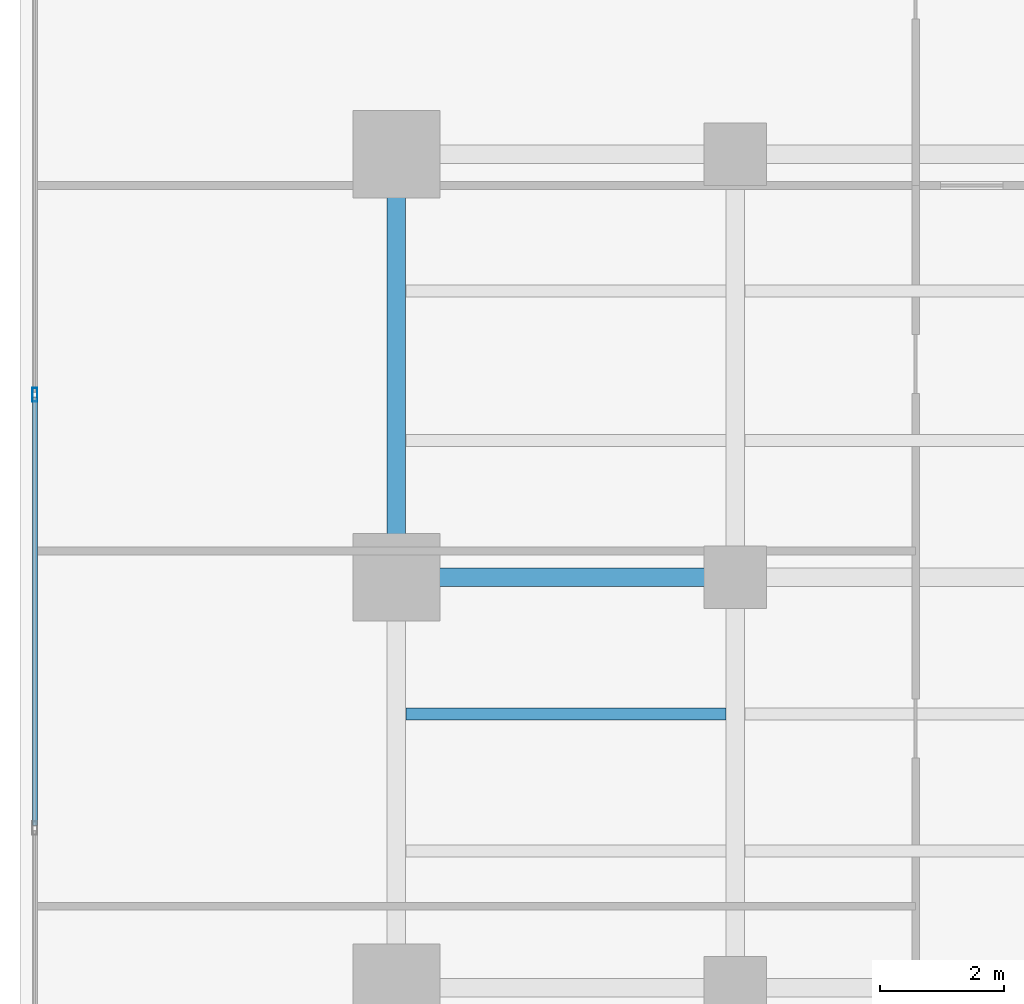
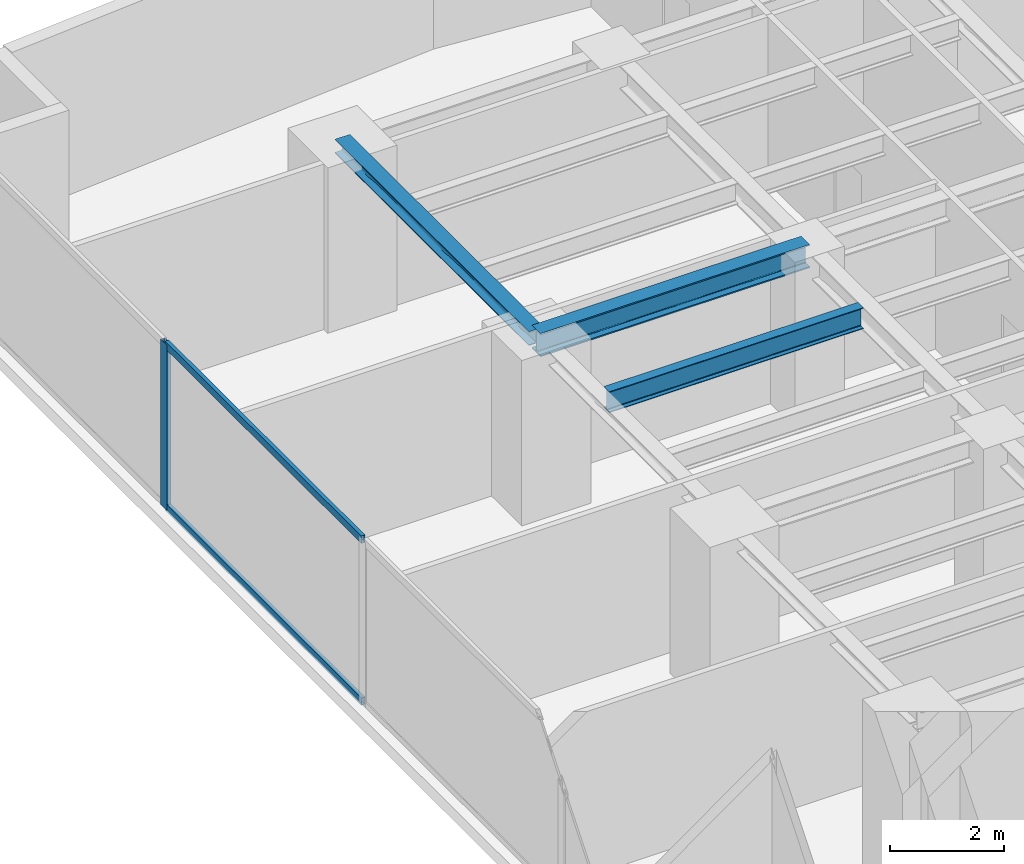
# One storey, part 16 of 26: 3 beams, 3 members, 1 element without a shape of its own.
"""IFC4 building model written with IfcOpenShell, lengths in metres."""

import ifcopenshell
import ifcopenshell.guid

model = None  # the IFC model being written
_history = None  # IfcOwnerHistory: only IFC2X3 demands one
_inside = {}  # id of a spatial element -> (the spatial element, [elements in it])
_under = {}  # id of a project, library or spatial element -> (it, [spatial elements below it])
_declared = {}  # id of a project -> (the project, [libraries it declares])
_typed = {}  # id of a type object -> (the type object, [elements of that type])
_made_of = {}  # id of a material, layer set ... -> (it, [elements and type objects made of it])


def new_model(schema):
    """Start an empty IFC model of exactly this schema.

    Asked for "IFC4X3", IfcOpenShell would pick the latest addendum, in which some entities
    have other attributes; the version numbers below select the first issue.
    IFC2X3 requires an IfcOwnerHistory on every rooted entity: one is made here for all.
    """
    global model, _history
    if schema == "IFC4X3":
        model = ifcopenshell.file(schema_version=(4, 3, 0, 0))
    else:
        model = ifcopenshell.file(schema=schema)
    _inside.clear()
    _under.clear()
    _declared.clear()
    _typed.clear()
    _made_of.clear()
    _history = None
    if model.schema == "IFC2X3":
        org = make("IfcOrganization", Name="unknown")
        user = make(
            "IfcPersonAndOrganization",
            ThePerson=make("IfcPerson", FamilyName="unknown"),
            TheOrganization=org,
        )
        app = make(
            "IfcApplication",
            ApplicationDeveloper=org,
            Version="unknown",
            ApplicationFullName="unknown",
            ApplicationIdentifier="unknown",
        )
        _history = make(
            "IfcOwnerHistory",
            OwningUser=user,
            OwningApplication=app,
            ChangeAction="ADDED",
            CreationDate=0,
        )
    return model


def make(cls, **values):
    """One entity of the class cls with the attributes given. An attribute that is None is left unset."""
    return model.create_entity(
        cls, **{name: value for name, value in values.items() if value is not None}
    )


def rooted(cls, **values):
    """An entity with a GlobalId (a new one), such as an element, a storey or a relation."""
    return make(cls, GlobalId=ifcopenshell.guid.new(), OwnerHistory=_history, **values)


def si_unit(unit_type, name, prefix=None):
    """IfcSIUnit, for example si_unit("LENGTHUNIT", "METRE", prefix="MILLI")."""
    return make("IfcSIUnit", UnitType=unit_type, Prefix=prefix, Name=name)


def assignment(units):
    """IfcUnitAssignment: the units of a project."""
    return None if units is None else make("IfcUnitAssignment", Units=units)


def point(xyz):
    """IfcCartesianPoint."""
    return None if xyz is None else make("IfcCartesianPoint", Coordinates=xyz)


def direction(xyz):
    """IfcDirection."""
    return None if xyz is None else make("IfcDirection", DirectionRatios=xyz)


def frame(location, z_axis=None, x_axis=None):
    """IfcAxis2Placement3D, a coordinate frame: its origin and axes. An axis left out is left unset."""
    return make(
        "IfcAxis2Placement3D",
        Location=point(location),
        Axis=direction(z_axis),
        RefDirection=direction(x_axis),
    )


def frame_2d(location, x_axis=None):
    """IfcAxis2Placement2D, a coordinate frame in the plane: its origin and x axis."""
    return make(
        "IfcAxis2Placement2D", Location=point(location), RefDirection=direction(x_axis)
    )


def origin():
    """The frame at (0, 0, 0) with its axes left unset."""
    return frame((0.0, 0.0, 0.0))


def origin_with_axes():
    """The frame at (0, 0, 0) with the z axis (0, 0, 1) and the x axis (1, 0, 0) written out."""
    return frame((0.0, 0.0, 0.0), z_axis=(0.0, 0.0, 1.0), x_axis=(1.0, 0.0, 0.0))


def origin_2d():
    """The frame at (0, 0) in the plane with its x axis left unset."""
    return frame_2d((0.0, 0.0))


def place(relative_to, where):
    """IfcLocalPlacement: puts the frame where relative to a parent placement (None: the world)."""
    return make(
        "IfcLocalPlacement", PlacementRelTo=relative_to, RelativePlacement=where
    )


def context(
    kind, dimensions, precision=None, world=None, true_north=None, identifier=None
):
    """IfcGeometricRepresentationContext, for example the 3D "Model" context."""
    return make(
        "IfcGeometricRepresentationContext",
        ContextIdentifier=identifier,
        ContextType=kind,
        CoordinateSpaceDimension=dimensions,
        Precision=precision,
        WorldCoordinateSystem=world,
        TrueNorth=true_north,
    )


def subcontext(parent, identifier, kind, view, scale=None):
    """IfcGeometricRepresentationSubContext, for example "Body" below "Model"."""
    return make(
        "IfcGeometricRepresentationSubContext",
        ContextIdentifier=identifier,
        ContextType=kind,
        ParentContext=parent,
        TargetScale=scale,
        TargetView=view,
    )


def project(units=None, contexts=None):
    """IfcProject with its units and contexts."""
    return rooted(
        "IfcProject",
        Name="project",
        RepresentationContexts=contexts,
        UnitsInContext=assignment(units),
    )


def spatial(cls, under=None, at=None, **own):
    """A site, building, storey or space (cls), placed at a placement, below another one or the project."""
    s = rooted(cls, ObjectPlacement=at, **own)
    if under is not None:
        _under.setdefault(under.id(), (under, []))[1].append(s)
    return s


def profile(cls, at=None, kind="AREA", **sizes):
    """A parametric profile (cls). Its sizes go by their IFC names, for example OverallWidth=200.0."""
    return make(cls, ProfileType=kind, Position=at, **sizes)


def hollow_rectangle(**sizes):
    """IfcRectangleHollowProfileDef."""
    return profile("IfcRectangleHollowProfileDef", **sizes)


def i_section(**sizes):
    """IfcIShapeProfileDef."""
    return profile("IfcIShapeProfileDef", **sizes)


def extrude(swept, where, along, depth):
    """IfcExtrudedAreaSolid: the profile swept, set in the frame where, extruded along a direction by depth."""
    return make(
        "IfcExtrudedAreaSolid",
        SweptArea=swept,
        Position=where,
        ExtrudedDirection=direction(along),
        Depth=depth,
    )


def shape(context_of_items, identifier, shape_type, items):
    """IfcShapeRepresentation: the items that make up one representation, for example the "Body"."""
    return make(
        "IfcShapeRepresentation",
        ContextOfItems=context_of_items,
        RepresentationIdentifier=identifier,
        RepresentationType=shape_type,
        Items=items,
    )


def source(mapping_origin, context_of_items, identifier, shape_type, items):
    """IfcRepresentationMap: a shape defined once, which mapped items show again and again."""
    return make(
        "IfcRepresentationMap",
        MappingOrigin=mapping_origin,
        MappedRepresentation=shape(context_of_items, identifier, shape_type, items),
    )


def transform(
    local_origin,
    x_axis=None,
    y_axis=None,
    z_axis=None,
    scale=None,
    scale2=None,
    scale3=None,
    uniform=True,
):
    """IfcCartesianTransformationOperator3D, or its non-uniform kind. x_axis, y_axis, z_axis: its Axis1, 2, 3."""
    if uniform:
        return make(
            "IfcCartesianTransformationOperator3D",
            Axis1=direction(x_axis),
            Axis2=direction(y_axis),
            LocalOrigin=point(local_origin),
            Scale=scale,
            Axis3=direction(z_axis),
        )
    return make(
        "IfcCartesianTransformationOperator3DnonUniform",
        Axis1=direction(x_axis),
        Axis2=direction(y_axis),
        LocalOrigin=point(local_origin),
        Scale=scale,
        Axis3=direction(z_axis),
        Scale2=scale2,
        Scale3=scale3,
    )


def mapped(mapping_source, mapping_target):
    """IfcMappedItem: shows the shape of a source again, moved by a transform."""
    return make(
        "IfcMappedItem", MappingSource=mapping_source, MappingTarget=mapping_target
    )


def material(Name=None, Category=None):
    """IfcMaterial."""
    return make("IfcMaterial", Name=Name, Category=Category)


def layer(
    of_material, thickness, ventilated=None, Name=None, Category=None, Priority=None
):
    """IfcMaterialLayer: one layer of a wall or slab, of a material (None: an air gap)."""
    return make(
        "IfcMaterialLayer",
        Material=of_material,
        LayerThickness=thickness,
        IsVentilated=ventilated,
        Name=Name,
        Category=Category,
        Priority=Priority,
    )


def layer_set(layers, Name=None):
    """IfcMaterialLayerSet."""
    return make("IfcMaterialLayerSet", MaterialLayers=layers, LayerSetName=Name)


def material_profile(
    of_material, cross_section, Name=None, Category=None, Priority=None
):
    """IfcMaterialProfile: a cross section and its material."""
    return make(
        "IfcMaterialProfile",
        Name=Name,
        Material=of_material,
        Profile=cross_section,
        Priority=Priority,
        Category=Category,
    )


def profile_set(profiles, Name=None, composite=None):
    """IfcMaterialProfileSet."""
    return make(
        "IfcMaterialProfileSet",
        Name=Name,
        MaterialProfiles=profiles,
        CompositeProfile=composite,
    )


def made_of(thing, what):
    """Note that an element or type object is made of a material, layer set ...; save() writes the relation."""
    if what is not None:
        _made_of.setdefault(what.id(), (what, []))[1].append(thing)
    return thing


def type_object(cls, material=None, **own):
    """A type object (cls), such as IfcWallType, which elements share."""
    return made_of(rooted(cls, **own), material)


def element(
    cls,
    number,
    at=None,
    inside=None,
    cuts=None,
    type_object=None,
    material=None,
    context=None,
    identifier="Body",
    shape_type=None,
    held_by="IfcProductDefinitionShape",
    body=None,
    shapes=None,
    **own,
):
    """One element of the class cls, such as IfcWall. Its Tag is "e" and its number.

    at: its placement. inside: the storey or other place that contains it. cuts: it is an
    opening in that element (IfcRelVoidsElement). A single representation is given by context,
    identifier, shape_type and body (its items); several are given by shapes. held_by: the class
    of the entity that holds the representations. save() writes the other relations.
    """
    e = rooted(cls, Tag="e%d" % number, ObjectPlacement=at, **own)
    if body is not None:
        shapes = [shape(context, identifier, shape_type, body)]
    if shapes is not None:
        e.Representation = make(held_by, Representations=shapes)
    if inside is not None:
        _inside.setdefault(inside.id(), (inside, []))[1].append(e)
    if cuts is not None:
        rooted(
            "IfcRelVoidsElement", RelatingBuildingElement=cuts, RelatedOpeningElement=e
        )
    if type_object is not None:
        _typed.setdefault(type_object.id(), (type_object, []))[1].append(e)
    return made_of(e, material)


def aggregate(whole, parts):
    """IfcRelAggregates: a whole, such as a stair, and the parts it consists of."""
    return rooted("IfcRelAggregates", RelatingObject=whole, RelatedObjects=parts)


def save(model, path):
    """Write the relations noted so far, then the file.

    IfcRelAggregates (storeys below a building ...), IfcRelContainedInSpatialStructure (elements
    in a storey), IfcRelDefinesByType, IfcRelAssociatesMaterial and IfcRelDeclares: one each for
    every whole, place, type object, material and project.
    """
    for whole, parts in _under.values():
        aggregate(whole, parts)
    for where, things in _inside.values():
        rooted(
            "IfcRelContainedInSpatialStructure",
            RelatedElements=things,
            RelatingStructure=where,
        )
    for kind, things in _typed.values():
        rooted("IfcRelDefinesByType", RelatedObjects=things, RelatingType=kind)
    for what, things in _made_of.values():
        rooted("IfcRelAssociatesMaterial", RelatedObjects=things, RelatingMaterial=what)
    for by, libraries in _declared.values():
        rooted("IfcRelDeclares", RelatingContext=by, RelatedDefinitions=libraries)
    model.write(path)


model = new_model("IFC4")

# Units and contexts
model_context = context("Model", 3, precision=1e-05, world=origin(), true_north=direction((0.0, 1.0)))
body_context = subcontext(model_context, "Body", "Model", "MODEL_VIEW")
ifc_project = project(units=[si_unit("LENGTHUNIT", "METRE"), si_unit("AREAUNIT", "SQUARE_METRE"), si_unit("VOLUMEUNIT", "CUBIC_METRE"), si_unit("PLANEANGLEUNIT", "RADIAN"), si_unit("MASSUNIT", "GRAM", prefix="KILO")], contexts=[model_context])

# Site, building, storey
site_placement = place(None, origin())
site = spatial("IfcSite", under=ifc_project, at=site_placement, CompositionType="ELEMENT")
building_placement = place(site_placement, origin())
building = spatial("IfcBuilding", under=site, at=building_placement, Name="Kolvaren Waterfront Exchange", CompositionType="ELEMENT")
storey_placement = place(building_placement, frame((0.0, 0.0, 99.300048828125)))
storey = spatial("IfcBuildingStorey", under=building, at=storey_placement, Name="L25", CompositionType="ELEMENT", Elevation=99.300048828125)

# Beams
ifc_material_1 = material(Name="Steel S355", Category="steel")
ifc_material_profile_1 = material_profile(ifc_material_1, i_section(OverallWidth=0.300048828125, OverallDepth=0.300048828125, WebThickness=0.010986328125, FlangeThickness=0.01904296875, FilletRadius=0.027099609375, at=origin_2d()), Name="HEB300")
ifc_profile_set_1 = profile_set([ifc_material_profile_1], Name="Steel S355")
beam_type_1 = type_object("IfcBeamType", Name="STR-BM-HEB300", PredefinedType="SPANDREL", material=ifc_profile_set_1)
beam_1_placement = place(storey_placement, frame((7.449951171875, 37.800048828125, 3.389892578125), z_axis=(0.0, 1.0, 0.0), x_axis=(-1.0, 0.0, 0.0)))
element("IfcBeam", 1, at=beam_1_placement, inside=storey, type_object=beam_type_1, Name="L25 north-arm edge beam 3", PredefinedType="SPANDREL", context=body_context, shape_type="SweptSolid", body=[
    extrude(i_section(OverallWidth=0.300048828125, OverallDepth=0.300048828125, WebThickness=0.010986328125, FlangeThickness=0.01904296875, FilletRadius=0.027099609375, at=origin_2d()), origin(), (0.0, 0.0, 1.0), 6.800048828125),
])
ifc_material_profile_2 = material_profile(ifc_material_1, i_section(OverallWidth=0.300048828125, OverallDepth=0.5, WebThickness=0.014404296875, FlangeThickness=0.028076171875, FilletRadius=0.027099609375, at=origin_2d()), Name="HEB500")
ifc_profile_set_2 = profile_set([ifc_material_profile_2], Name="Steel S355")
beam_type_2 = type_object("IfcBeamType", Name="STR-BM-HEB500", PredefinedType="BEAM", material=ifc_profile_set_2)
beam_2_placement = place(storey_placement, frame((7.449951171875, 37.800048828125, 3.2900390625), z_axis=(1.0, 0.0, 0.0), x_axis=(0.0, 1.0, 0.0)))
element("IfcBeam", 2, at=beam_2_placement, inside=storey, type_object=beam_type_2, Name="L25 north-arm girder 3A", PredefinedType="BEAM", context=body_context, shape_type="SweptSolid", body=[
    extrude(i_section(OverallWidth=0.300048828125, OverallDepth=0.5, WebThickness=0.014404296875, FlangeThickness=0.028076171875, FilletRadius=0.027099609375, at=origin_2d()), origin(), (0.0, 0.0, 1.0), 5.449951171875),
])
ifc_material_profile_3 = material_profile(ifc_material_1, i_section(OverallWidth=0.18994140625, OverallDepth=0.449951171875, WebThickness=0.009521484375, FlangeThickness=0.0146484375, FilletRadius=0.02099609375, at=origin_2d()), Name="IPE450")
ifc_profile_set_3 = profile_set([ifc_material_profile_3], Name="Steel S355")
beam_type_3 = type_object("IfcBeamType", Name="STR-BM-IPE450", PredefinedType="JOIST", material=ifc_profile_set_3)
beam_3_placement = place(storey_placement, frame((7.60205078125, 35.60009765625, 3.31494140625), z_axis=(1.0, 0.0, 0.0), x_axis=(0.0, 1.0, 0.0)))
element("IfcBeam", 3, at=beam_3_placement, inside=storey, type_object=beam_type_3, Name="L25 north-arm composite joist 4A", PredefinedType="JOIST", context=body_context, shape_type="SweptSolid", body=[
    extrude(i_section(OverallWidth=0.18994140625, OverallDepth=0.449951171875, WebThickness=0.009521484375, FlangeThickness=0.0146484375, FilletRadius=0.02099609375, at=origin_2d()), origin(), (0.0, 0.0, 1.0), 5.14599609375),
])

# Curtain wall, members
ifc_material_2 = material(Name="Anodised aluminium 6063-T6", Category="aluminium")
ifc_layer = layer(ifc_material_2, 0.219970703125, Name="Anodised aluminium 6063-T6")
ifc_layer_set = layer_set([ifc_layer], Name="Anodised aluminium 6063-T6")
curtain_wall_type = type_object("IfcCurtainWallType", Name="ARC-CW-SYS2", PredefinedType="USERDEFINED", material=ifc_layer_set)
curtain_wall_placement = place(storey_placement, origin())
curtain_wall = element("IfcCurtainWall", 4, at=curtain_wall_placement, inside=storey, type_object=curtain_wall_type, Name="L25 stick curtain wall CW2 (CW-L25-W)", ObjectType="STICK CURTAIN WALL", PredefinedType="USERDEFINED")
ifc_material_profile_4 = material_profile(ifc_material_2, hollow_rectangle(XDim=0.080078125, YDim=0.219970703125, WallThickness=0.0048828125, at=origin_2d()), Name="ALU-MUL-220x80x5")
ifc_profile_set_4 = profile_set([ifc_material_profile_4], Name="Anodised aluminium 6063-T6")
member_type_1 = type_object("IfcMemberType", Name="ARC-CWM-220", PredefinedType="MULLION", material=ifc_profile_set_4)
shared_shape_1 = source(origin_with_axes(), body_context, "Body", "SweptSolid", [
    extrude(hollow_rectangle(XDim=0.080078125, YDim=0.219970703125, WallThickness=0.0048828125, at=origin_2d()), origin(), (0.0, 0.0, 1.0), 3.5400390625),
])
member_1_placement = place(storey_placement, frame((1.639892578125, 40.7333984375, 0.0), z_axis=(0.0, 0.0, 1.0), x_axis=(-1.0, 0.0, 0.0)))
member_1 = element("IfcMember", 5, at=member_1_placement, type_object=member_type_1, Name="CW2 mullion 6", PredefinedType="MULLION", context=body_context, shape_type="MappedRepresentation", body=[
    mapped(shared_shape_1, transform((0.0, 0.0, 0.0), x_axis=(1.0, 0.0, 0.0), y_axis=(0.0, 1.0, 0.0), z_axis=(0.0, 0.0, 1.0), scale=1.0)),
])
ifc_material_profile_5 = material_profile(ifc_material_2, hollow_rectangle(XDim=0.074951171875, YDim=0.159912109375, WallThickness=0.00439453125, at=origin_2d()), Name="ALU-TRN-160x75x4.5")
ifc_profile_set_5 = profile_set([ifc_material_profile_5], Name="Anodised aluminium 6063-T6")
member_type_2 = type_object("IfcMemberType", Name="ARC-CWT-160", PredefinedType="USERDEFINED", material=ifc_profile_set_5)
shared_shape_2 = source(origin_with_axes(), body_context, "Body", "SweptSolid", [
    extrude(hollow_rectangle(XDim=0.074951171875, YDim=0.159912109375, WallThickness=0.00439453125, at=origin_2d()), origin(), (0.0, 0.0, 1.0), 6.88671875),
])
member_2_placement = place(storey_placement, frame((1.639892578125, 33.806640625, 0.037353515625), z_axis=(0.0, 1.0, 0.0), x_axis=(-1.0, 0.0, 0.0)))
member_2 = element("IfcMember", 6, at=member_2_placement, type_object=member_type_2, Name="CW2 transom 5.1", ObjectType="TRANSOM", PredefinedType="USERDEFINED", context=body_context, shape_type="MappedRepresentation", body=[
    mapped(shared_shape_2, transform((0.0, 0.0, 0.0), x_axis=(1.0, 0.0, 0.0), y_axis=(0.0, 1.0, 0.0), z_axis=(0.0, 0.0, 1.0), scale=1.0)),
])
member_3_placement = place(storey_placement, frame((1.639892578125, 33.806640625, 3.50244140625), z_axis=(0.0, 1.0, 0.0), x_axis=(-1.0, 0.0, 0.0)))
member_3 = element("IfcMember", 7, at=member_3_placement, type_object=member_type_2, Name="CW2 transom 5.2", ObjectType="TRANSOM", PredefinedType="USERDEFINED", context=body_context, shape_type="MappedRepresentation", body=[
    mapped(shared_shape_2, transform((0.0, 0.0, 0.0), x_axis=(1.0, 0.0, 0.0), y_axis=(0.0, 1.0, 0.0), z_axis=(0.0, 0.0, 1.0), scale=1.0)),
])
aggregate(curtain_wall, [member_1, member_2, member_3])

save(model, "model.ifc")
